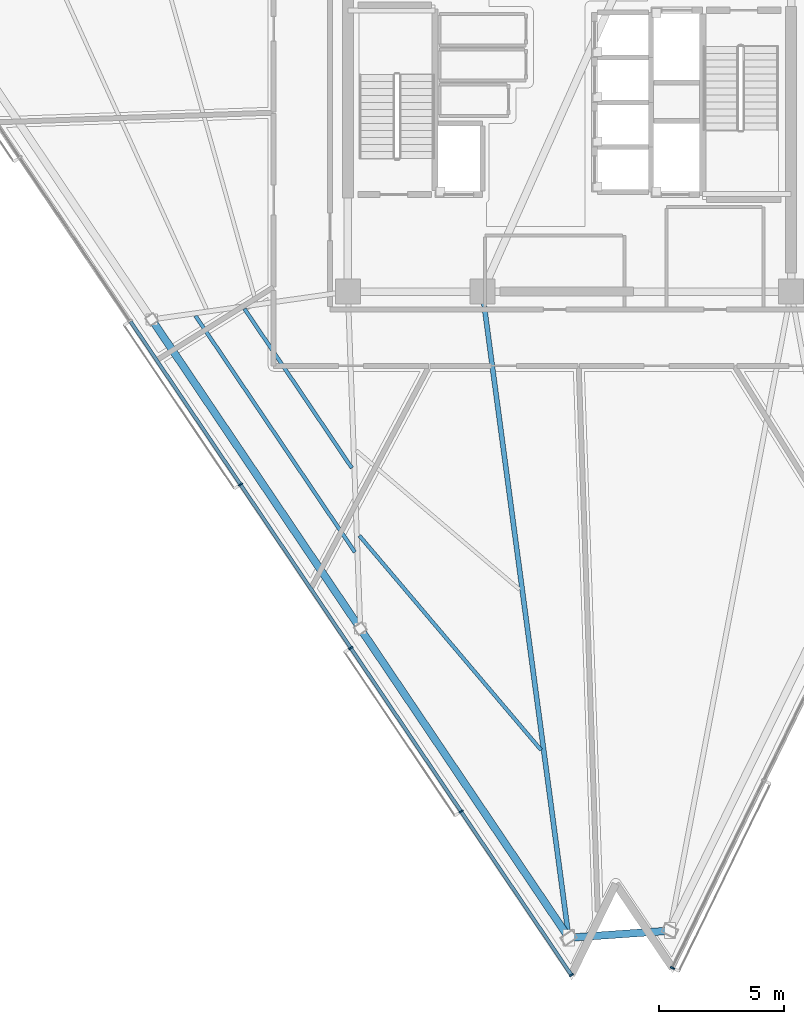
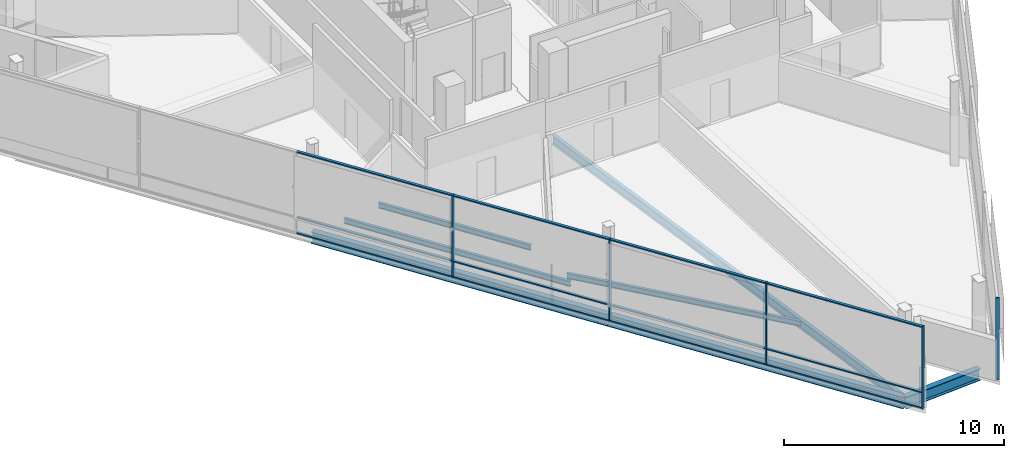
# One storey, part 2 of 16: 17 members, 7 beams, 2 elements without a shape of their own.
"""IFC4 building model written with IfcOpenShell, lengths in metres."""

from ifc_helpers import new_model, si_unit, direction, frame, origin, origin_2d, place, context, subcontext, project, spatial, rectangle, i_section, extrude, material, layer, layer_set, material_profile, profile_set, type_object, element, aggregate, save


model = new_model("IFC4")

# Units and contexts
model_context = context("Model", 3, precision=1e-05, world=origin(), true_north=direction((0.0, 1.0)))
body_context = subcontext(model_context, "Body", "Model", "MODEL_VIEW")
ifc_project = project(units=[si_unit("LENGTHUNIT", "METRE"), si_unit("AREAUNIT", "SQUARE_METRE"), si_unit("VOLUMEUNIT", "CUBIC_METRE"), si_unit("PLANEANGLEUNIT", "RADIAN"), si_unit("MASSUNIT", "GRAM", prefix="KILO")], contexts=[model_context])

# Site, building, storey
site_placement = place(None, origin())
site = spatial("IfcSite", under=ifc_project, at=site_placement, CompositionType="ELEMENT")
building_placement = place(site_placement, origin())
building = spatial("IfcBuilding", under=site, at=building_placement, Name="Tharavind Bronze Gate", CompositionType="ELEMENT")
storey_placement = place(building_placement, frame((0.0, 0.0, 275.0)))
storey = spatial("IfcBuildingStorey", under=building, at=storey_placement, Name="L71", CompositionType="ELEMENT", Elevation=275.0)

# Curtain wall, members
ifc_material_1 = material(Name="Anodised Bronze Aluminium", Category="aluminium")
ifc_layer = layer(ifc_material_1, 0.219970703125)
ifc_layer_set = layer_set([ifc_layer], Name="Anodised Bronze Aluminium")
curtain_wall_type = type_object("IfcCurtainWallType", Name="UNITISED CURTAIN WALL UPPER OFFICE", PredefinedType="USERDEFINED", material=ifc_layer_set)
curtain_wall_1_placement = place(storey_placement, origin())
curtain_wall_1 = element("IfcCurtainWall", 1, at=curtain_wall_1_placement, inside=storey, type_object=curtain_wall_type, Name="L71 unitised curtain wall upper office CW-L71-S1", ObjectType="UNITISED CURTAIN WALL", PredefinedType="USERDEFINED")
member_type_1 = type_object("IfcMemberType", Name="CURTAIN WALL BRONZE MULLION 65X180", PredefinedType="MULLION", material=ifc_material_1)
member_1_placement = place(storey_placement, frame((-13.211181640625, -15.3466796875, 0.0), z_axis=(0.0, 0.0, 1.0), x_axis=(0.559191456526, -0.82903854853, 0.0)))
member_1 = element("IfcMember", 2, at=member_1_placement, type_object=member_type_1, Name="CW-L71-S1 mullion 4", PredefinedType="MULLION", context=body_context, shape_type="SweptSolid", body=[
    extrude(rectangle(XDim=0.06494140625, YDim=0.179931640625, at=origin_2d()), origin(), (0.0, 0.0, 1.0), 4.56005859375),
])
member_2_placement = place(storey_placement, frame((-8.781982421875, -21.912841796875, 0.0), z_axis=(0.0, 0.0, 1.0), x_axis=(0.559191456526, -0.82903854853, 0.0)))
member_2 = element("IfcMember", 3, at=member_2_placement, type_object=member_type_1, Name="CW-L71-S1 mullion 5", PredefinedType="MULLION", context=body_context, shape_type="SweptSolid", body=[
    extrude(rectangle(XDim=0.06494140625, YDim=0.179931640625, at=origin_2d()), origin(), (0.0, 0.0, 1.0), 4.56005859375),
])
member_3_placement = place(storey_placement, frame((-4.35302734375, -28.47900390625, 0.0), z_axis=(0.0, 0.0, 1.0), x_axis=(0.559191456526, -0.82903854853, 0.0)))
member_3 = element("IfcMember", 4, at=member_3_placement, type_object=member_type_1, Name="CW-L71-S1 mullion 6", PredefinedType="MULLION", context=body_context, shape_type="SweptSolid", body=[
    extrude(rectangle(XDim=0.06494140625, YDim=0.179931640625, at=origin_2d()), origin(), (0.0, 0.0, 1.0), 4.56005859375),
])
member_4_placement = place(storey_placement, frame((0.075927734375, -35.04541015625, 0.0), z_axis=(0.0, 0.0, 1.0), x_axis=(0.559191456526, -0.82903854853, 0.0)))
member_4 = element("IfcMember", 5, at=member_4_placement, type_object=member_type_1, Name="CW-L71-S1 mullion 7", PredefinedType="MULLION", context=body_context, shape_type="SweptSolid", body=[
    extrude(rectangle(XDim=0.06494140625, YDim=0.179931640625, at=origin_2d()), origin(), (0.0, 0.0, 1.0), 4.56005859375),
])

# Curtain wall, member
curtain_wall_2_placement = place(storey_placement, origin())
curtain_wall_2 = element("IfcCurtainWall", 6, at=curtain_wall_2_placement, inside=storey, type_object=curtain_wall_type, Name="L71 unitised curtain wall upper office CW-L71-S2", ObjectType="UNITISED CURTAIN WALL", PredefinedType="USERDEFINED")
member_5_placement = place(storey_placement, frame((4.134033203125, -34.76171875, 0.0), z_axis=(0.0, 0.0, 1.0), x_axis=(0.43837271548, 0.898793281196, 0.0)))
member_5 = element("IfcMember", 7, at=member_5_placement, type_object=member_type_1, Name="CW-L71-S2 mullion 1", PredefinedType="MULLION", context=body_context, shape_type="SweptSolid", body=[
    extrude(rectangle(XDim=0.06494140625, YDim=0.179931640625, at=origin_2d()), origin(), (0.0, 0.0, 1.0), 4.56005859375),
])
aggregate(curtain_wall_2, [member_5])

# Member
member_type_2 = type_object("IfcMemberType", Name="CURTAIN WALL BRONZE TRANSOM 65X140", PredefinedType="USERDEFINED", material=ifc_material_1)
member_6_placement = place(storey_placement, frame((-15.425537109375, -12.0634765625, 0.0), z_axis=(0.0, 0.0, 1.0), x_axis=(0.559191456526, -0.82903854853, 0.0)))
member_6 = element("IfcMember", 8, at=member_6_placement, type_object=member_type_2, Name="CW-L71-S1 transom TB3", ObjectType="TRANSOM", PredefinedType="USERDEFINED", context=body_context, shape_type="SweptSolid", body=[
    extrude(rectangle(XDim=7.8671875, YDim=0.139892578125, at=origin_2d()), origin(), (0.0, 0.0, 1.0), 0.06494140625),
])

member_7_placement = place(storey_placement, frame((-15.425537109375, -12.0634765625, 0.867431640625), z_axis=(0.0, 0.0, 1.0), x_axis=(0.559191456526, -0.82903854853, 0.0)))
member_7 = element("IfcMember", 9, at=member_7_placement, type_object=member_type_2, Name="CW-L71-S1 transom TS3", ObjectType="TRANSOM", PredefinedType="USERDEFINED", context=body_context, shape_type="SweptSolid", body=[
    extrude(rectangle(XDim=7.8671875, YDim=0.139892578125, at=origin_2d()), origin(), (0.0, 0.0, 1.0), 0.06494140625),
])

member_8_placement = place(storey_placement, frame((-15.425537109375, -12.0634765625, 4.4951171875), z_axis=(0.0, 0.0, 1.0), x_axis=(0.559191456526, -0.82903854853, 0.0)))
member_8 = element("IfcMember", 10, at=member_8_placement, type_object=member_type_2, Name="CW-L71-S1 transom TT3", ObjectType="TRANSOM", PredefinedType="USERDEFINED", context=body_context, shape_type="SweptSolid", body=[
    extrude(rectangle(XDim=7.8671875, YDim=0.139892578125, at=origin_2d()), origin(), (0.0, 0.0, 1.0), 0.06494140625),
])

member_9_placement = place(storey_placement, frame((-10.99658203125, -18.629638671875, 0.0), z_axis=(0.0, 0.0, 1.0), x_axis=(0.559191456526, -0.82903854853, 0.0)))
member_9 = element("IfcMember", 11, at=member_9_placement, type_object=member_type_2, Name="CW-L71-S1 transom TB4", ObjectType="TRANSOM", PredefinedType="USERDEFINED", context=body_context, shape_type="SweptSolid", body=[
    extrude(rectangle(XDim=7.8671875, YDim=0.139892578125, at=origin_2d()), origin(), (0.0, 0.0, 1.0), 0.06494140625),
])

member_10_placement = place(storey_placement, frame((-10.99658203125, -18.629638671875, 0.867431640625), z_axis=(0.0, 0.0, 1.0), x_axis=(0.559191456526, -0.82903854853, 0.0)))
member_10 = element("IfcMember", 12, at=member_10_placement, type_object=member_type_2, Name="CW-L71-S1 transom TS4", ObjectType="TRANSOM", PredefinedType="USERDEFINED", context=body_context, shape_type="SweptSolid", body=[
    extrude(rectangle(XDim=7.8671875, YDim=0.139892578125, at=origin_2d()), origin(), (0.0, 0.0, 1.0), 0.06494140625),
])

member_11_placement = place(storey_placement, frame((-10.99658203125, -18.629638671875, 4.4951171875), z_axis=(0.0, 0.0, 1.0), x_axis=(0.559191456526, -0.82903854853, 0.0)))
member_11 = element("IfcMember", 13, at=member_11_placement, type_object=member_type_2, Name="CW-L71-S1 transom TT4", ObjectType="TRANSOM", PredefinedType="USERDEFINED", context=body_context, shape_type="SweptSolid", body=[
    extrude(rectangle(XDim=7.8671875, YDim=0.139892578125, at=origin_2d()), origin(), (0.0, 0.0, 1.0), 0.06494140625),
])

member_12_placement = place(storey_placement, frame((-6.567626953125, -25.196044921875, 0.0), z_axis=(0.0, 0.0, 1.0), x_axis=(0.559191456526, -0.82903854853, 0.0)))
member_12 = element("IfcMember", 14, at=member_12_placement, type_object=member_type_2, Name="CW-L71-S1 transom TB5", ObjectType="TRANSOM", PredefinedType="USERDEFINED", context=body_context, shape_type="SweptSolid", body=[
    extrude(rectangle(XDim=7.8671875, YDim=0.139892578125, at=origin_2d()), origin(), (0.0, 0.0, 1.0), 0.06494140625),
])

member_13_placement = place(storey_placement, frame((-6.567626953125, -25.196044921875, 0.867431640625), z_axis=(0.0, 0.0, 1.0), x_axis=(0.559191456526, -0.82903854853, 0.0)))
member_13 = element("IfcMember", 15, at=member_13_placement, type_object=member_type_2, Name="CW-L71-S1 transom TS5", ObjectType="TRANSOM", PredefinedType="USERDEFINED", context=body_context, shape_type="SweptSolid", body=[
    extrude(rectangle(XDim=7.8671875, YDim=0.139892578125, at=origin_2d()), origin(), (0.0, 0.0, 1.0), 0.06494140625),
])

member_14_placement = place(storey_placement, frame((-6.567626953125, -25.196044921875, 4.4951171875), z_axis=(0.0, 0.0, 1.0), x_axis=(0.559191456526, -0.82903854853, 0.0)))
member_14 = element("IfcMember", 16, at=member_14_placement, type_object=member_type_2, Name="CW-L71-S1 transom TT5", ObjectType="TRANSOM", PredefinedType="USERDEFINED", context=body_context, shape_type="SweptSolid", body=[
    extrude(rectangle(XDim=7.8671875, YDim=0.139892578125, at=origin_2d()), origin(), (0.0, 0.0, 1.0), 0.06494140625),
])

member_15_placement = place(storey_placement, frame((-2.138671875, -31.76220703125, 0.0), z_axis=(0.0, 0.0, 1.0), x_axis=(0.559191456526, -0.82903854853, 0.0)))
member_15 = element("IfcMember", 17, at=member_15_placement, type_object=member_type_2, Name="CW-L71-S1 transom TB6", ObjectType="TRANSOM", PredefinedType="USERDEFINED", context=body_context, shape_type="SweptSolid", body=[
    extrude(rectangle(XDim=7.8671875, YDim=0.139892578125, at=origin_2d()), origin(), (0.0, 0.0, 1.0), 0.06494140625),
])

member_16_placement = place(storey_placement, frame((-2.138671875, -31.76220703125, 0.867431640625), z_axis=(0.0, 0.0, 1.0), x_axis=(0.559191456526, -0.82903854853, 0.0)))
member_16 = element("IfcMember", 18, at=member_16_placement, type_object=member_type_2, Name="CW-L71-S1 transom TS6", ObjectType="TRANSOM", PredefinedType="USERDEFINED", context=body_context, shape_type="SweptSolid", body=[
    extrude(rectangle(XDim=7.8671875, YDim=0.139892578125, at=origin_2d()), origin(), (0.0, 0.0, 1.0), 0.06494140625),
])

member_17_placement = place(storey_placement, frame((-2.138671875, -31.76220703125, 4.4951171875), z_axis=(0.0, 0.0, 1.0), x_axis=(0.559191456526, -0.82903854853, 0.0)))
member_17 = element("IfcMember", 19, at=member_17_placement, type_object=member_type_2, Name="CW-L71-S1 transom TT6", ObjectType="TRANSOM", PredefinedType="USERDEFINED", context=body_context, shape_type="SweptSolid", body=[
    extrude(rectangle(XDim=7.8671875, YDim=0.139892578125, at=origin_2d()), origin(), (0.0, 0.0, 1.0), 0.06494140625),
])

aggregate(curtain_wall_1, [member_1, member_2, member_3, member_4, member_6, member_7, member_8, member_9, member_10, member_11, member_12, member_13, member_14, member_15, member_16, member_17])

# Beams
ifc_material_2 = material(Name="Steel S355", Category="steel")
ifc_material_profile_1 = material_profile(ifc_material_2, i_section(OverallWidth=0.300048828125, OverallDepth=0.64990234375, WebThickness=0.01611328125, FlangeThickness=0.031005859375, at=origin_2d()), Name="HE650B")
ifc_profile_set_1 = profile_set([ifc_material_profile_1], Name="Steel S355")
beam_type_1 = type_object("IfcBeamType", Name="PRIMARY GIRDER HE650B", PredefinedType="USERDEFINED", material=ifc_profile_set_1)
for number, where, z_axis, x_axis, name in (
    (20, (-16.776123046875, -8.719970703125, -0.5048828125), (0.559195614283, -0.829035744083, 0.0), (0.829035744083, 0.559195614283, 0.0), "L71 primary girder he650b BM-L71-PRG02"),
    (21, (-8.40234375, -21.134521484375, -0.5048828125), (0.559184408692, -0.829043302292, 0.0), (0.829043302292, 0.559184408692, 0.0), "L71 primary girder he650b BM-L71-PRG03"),
):
    element("IfcBeam", number, at=place(storey_placement, frame(where, z_axis=z_axis, x_axis=x_axis)), inside=storey, type_object=beam_type_1, Name=name, ObjectType="GIRDER", PredefinedType="USERDEFINED", context=body_context, shape_type="SweptSolid", body=[
        extrude(i_section(OverallWidth=0.300048828125, OverallDepth=0.64990234375, WebThickness=0.01611328125, FlangeThickness=0.031005859375, at=origin_2d()), origin(), (0.0, 0.0, 1.0), 14.974609375),
    ])
beam_1_placement = place(storey_placement, frame((-0.02880859375, -33.549072265625, -0.5048828125), z_axis=(0.997561224107, 0.069796877851, 0.0), x_axis=(-0.069796877851, 0.997561224107, 0.0)))
element("IfcBeam", 22, at=beam_1_placement, inside=storey, type_object=beam_type_1, Name="L71 primary girder he650b BM-L71-PRG04", ObjectType="GIRDER", PredefinedType="USERDEFINED", context=body_context, shape_type="SweptSolid", body=[
    extrude(i_section(OverallWidth=0.300048828125, OverallDepth=0.64990234375, WebThickness=0.01611328125, FlangeThickness=0.031005859375, at=origin_2d()), origin(), (0.0, 0.0, 1.0), 4.068115234375),
])
ifc_material_profile_2 = material_profile(ifc_material_2, i_section(OverallWidth=0.199951171875, OverallDepth=0.5, WebThickness=0.01025390625, FlangeThickness=0.01611328125, at=origin_2d()), Name="IPE500")
ifc_profile_set_2 = profile_set([ifc_material_profile_2], Name="Steel S355")
beam_type_2 = type_object("IfcBeamType", Name="PRIMARY GIRDER IPE500", PredefinedType="USERDEFINED", material=ifc_profile_set_2)
beam_2_placement = place(storey_placement, frame((-0.02880859375, -33.549072265625, -0.429931640625), z_axis=(-0.132588849442, 0.991171123976, 0.0), x_axis=(-0.991171123976, -0.132588849442, 0.0)))
element("IfcBeam", 23, at=beam_2_placement, inside=storey, type_object=beam_type_2, Name="L71 primary girder ipe500 BM-L71-RAD04", ObjectType="GIRDER", PredefinedType="USERDEFINED", context=body_context, shape_type="SweptSolid", body=[
    extrude(i_section(OverallWidth=0.199951171875, OverallDepth=0.5, WebThickness=0.01025390625, FlangeThickness=0.01611328125, at=origin_2d()), origin(), (0.0, 0.0, 1.0), 26.18017578125),
])
ifc_material_profile_3 = material_profile(ifc_material_2, i_section(OverallWidth=0.14990234375, OverallDepth=0.300048828125, WebThickness=0.007080078125, FlangeThickness=0.0107421875, at=origin_2d()), Name="IPE300")
ifc_profile_set_3 = profile_set([ifc_material_profile_3], Name="Steel S355")
beam_type_3 = type_object("IfcBeamType", Name="SECONDARY FLOOR JOIST IPE300", PredefinedType="JOIST", material=ifc_profile_set_3)
beam_3_placement = place(storey_placement, frame((-13.04931640625, -8.294677734375, -0.330078125), z_axis=(0.559190305192, -0.82903932511, 0.0), x_axis=(0.82903932511, 0.559190305192, 0.0)))
element("IfcBeam", 24, at=beam_3_placement, inside=storey, type_object=beam_type_3, Name="L71 secondary floor joist ipe300 BM-L71-JSTA02", PredefinedType="JOIST", context=body_context, shape_type="SweptSolid", body=[
    extrude(i_section(OverallWidth=0.14990234375, OverallDepth=0.300048828125, WebThickness=0.007080078125, FlangeThickness=0.0107421875, at=origin_2d()), origin(), (0.0, 0.0, 1.0), 7.702880859375),
])
beam_4_placement = place(storey_placement, frame((-15.018310546875, -8.57470703125, -0.330078125), z_axis=(0.559200650342, -0.829032347172, 0.0), x_axis=(0.829032347172, 0.559200650342, 0.0)))
element("IfcBeam", 25, at=beam_4_placement, inside=storey, type_object=beam_type_3, Name="L71 secondary floor joist ipe300 BM-L71-JSTB02", PredefinedType="JOIST", context=body_context, shape_type="SweptSolid", body=[
    extrude(i_section(OverallWidth=0.14990234375, OverallDepth=0.300048828125, WebThickness=0.007080078125, FlangeThickness=0.0107421875, at=origin_2d()), origin(), (0.0, 0.0, 1.0), 11.446533203125),
])
beam_5_placement = place(storey_placement, frame((-8.43701171875, -17.403564453125, -0.330078125), z_axis=(0.646710156103, -0.762735848111, 0.0), x_axis=(0.762735848111, 0.646710156103, 0.0)))
element("IfcBeam", 26, at=beam_5_placement, inside=storey, type_object=beam_type_3, Name="L71 secondary floor joist ipe300 BM-L71-JSTB03", PredefinedType="JOIST", context=body_context, shape_type="SweptSolid", body=[
    extrude(i_section(OverallWidth=0.14990234375, OverallDepth=0.300048828125, WebThickness=0.007080078125, FlangeThickness=0.0107421875, at=origin_2d()), origin(), (0.0, 0.0, 1.0), 11.28271484375),
])

save(model, "model.ifc")
